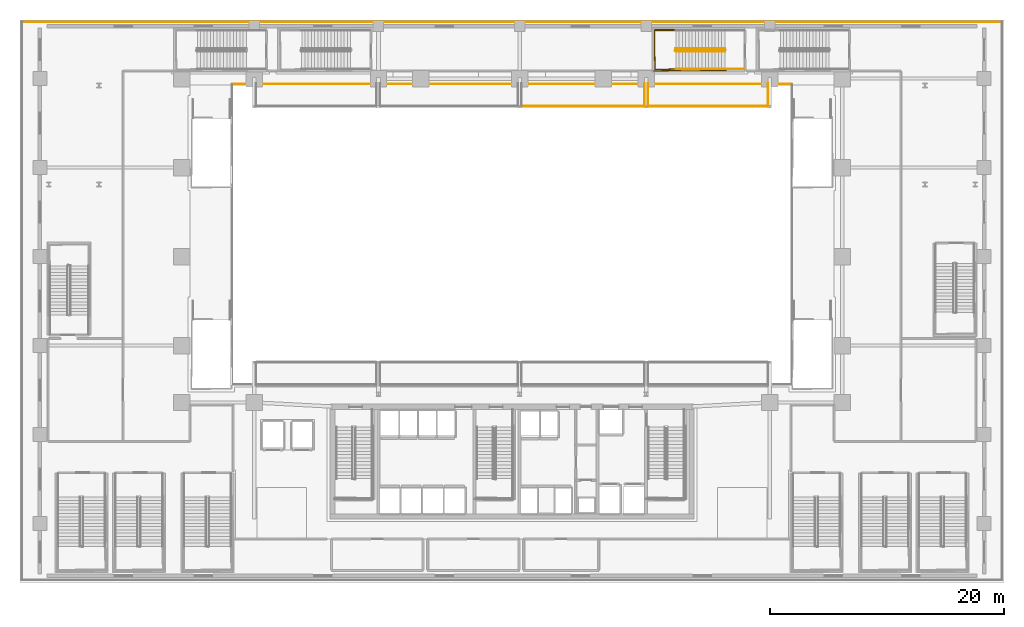
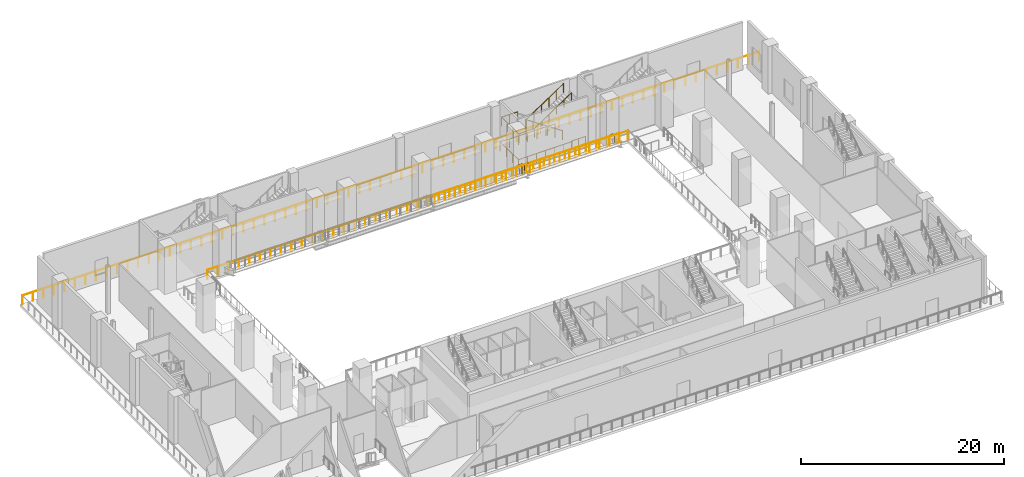
# One storey, part 22 of 28: 13 railings.
"""IFC4 building model written with IfcOpenShell, lengths in metres."""

import ifcopenshell
import ifcopenshell.guid

model = None  # the IFC model being written
_history = None  # IfcOwnerHistory: only IFC2X3 demands one
_inside = {}  # id of a spatial element -> (the spatial element, [elements in it])
_under = {}  # id of a project, library or spatial element -> (it, [spatial elements below it])
_declared = {}  # id of a project -> (the project, [libraries it declares])
_typed = {}  # id of a type object -> (the type object, [elements of that type])
_made_of = {}  # id of a material, layer set ... -> (it, [elements and type objects made of it])


def new_model(schema):
    """Start an empty IFC model of exactly this schema.

    Asked for "IFC4X3", IfcOpenShell would pick the latest addendum, in which some entities
    have other attributes; the version numbers below select the first issue.
    IFC2X3 requires an IfcOwnerHistory on every rooted entity: one is made here for all.
    """
    global model, _history
    if schema == "IFC4X3":
        model = ifcopenshell.file(schema_version=(4, 3, 0, 0))
    else:
        model = ifcopenshell.file(schema=schema)
    _inside.clear()
    _under.clear()
    _declared.clear()
    _typed.clear()
    _made_of.clear()
    _history = None
    if model.schema == "IFC2X3":
        org = make("IfcOrganization", Name="unknown")
        user = make(
            "IfcPersonAndOrganization",
            ThePerson=make("IfcPerson", FamilyName="unknown"),
            TheOrganization=org,
        )
        app = make(
            "IfcApplication",
            ApplicationDeveloper=org,
            Version="unknown",
            ApplicationFullName="unknown",
            ApplicationIdentifier="unknown",
        )
        _history = make(
            "IfcOwnerHistory",
            OwningUser=user,
            OwningApplication=app,
            ChangeAction="ADDED",
            CreationDate=0,
        )
    return model


def make(cls, **values):
    """One entity of the class cls with the attributes given. An attribute that is None is left unset."""
    return model.create_entity(
        cls, **{name: value for name, value in values.items() if value is not None}
    )


def rooted(cls, **values):
    """An entity with a GlobalId (a new one), such as an element, a storey or a relation."""
    return make(cls, GlobalId=ifcopenshell.guid.new(), OwnerHistory=_history, **values)


def si_unit(unit_type, name, prefix=None):
    """IfcSIUnit, for example si_unit("LENGTHUNIT", "METRE", prefix="MILLI")."""
    return make("IfcSIUnit", UnitType=unit_type, Prefix=prefix, Name=name)


def assignment(units):
    """IfcUnitAssignment: the units of a project."""
    return None if units is None else make("IfcUnitAssignment", Units=units)


def point(xyz):
    """IfcCartesianPoint."""
    return None if xyz is None else make("IfcCartesianPoint", Coordinates=xyz)


def direction(xyz):
    """IfcDirection."""
    return None if xyz is None else make("IfcDirection", DirectionRatios=xyz)


def frame(location, z_axis=None, x_axis=None):
    """IfcAxis2Placement3D, a coordinate frame: its origin and axes. An axis left out is left unset."""
    return make(
        "IfcAxis2Placement3D",
        Location=point(location),
        Axis=direction(z_axis),
        RefDirection=direction(x_axis),
    )


def frame_2d(location, x_axis=None):
    """IfcAxis2Placement2D, a coordinate frame in the plane: its origin and x axis."""
    return make(
        "IfcAxis2Placement2D", Location=point(location), RefDirection=direction(x_axis)
    )


def origin():
    """The frame at (0, 0, 0) with its axes left unset."""
    return frame((0.0, 0.0, 0.0))


def origin_2d():
    """The frame at (0, 0) in the plane with its x axis left unset."""
    return frame_2d((0.0, 0.0))


def place(relative_to, where):
    """IfcLocalPlacement: puts the frame where relative to a parent placement (None: the world)."""
    return make(
        "IfcLocalPlacement", PlacementRelTo=relative_to, RelativePlacement=where
    )


def context(
    kind, dimensions, precision=None, world=None, true_north=None, identifier=None
):
    """IfcGeometricRepresentationContext, for example the 3D "Model" context."""
    return make(
        "IfcGeometricRepresentationContext",
        ContextIdentifier=identifier,
        ContextType=kind,
        CoordinateSpaceDimension=dimensions,
        Precision=precision,
        WorldCoordinateSystem=world,
        TrueNorth=true_north,
    )


def subcontext(parent, identifier, kind, view, scale=None):
    """IfcGeometricRepresentationSubContext, for example "Body" below "Model"."""
    return make(
        "IfcGeometricRepresentationSubContext",
        ContextIdentifier=identifier,
        ContextType=kind,
        ParentContext=parent,
        TargetScale=scale,
        TargetView=view,
    )


def project(units=None, contexts=None):
    """IfcProject with its units and contexts."""
    return rooted(
        "IfcProject",
        Name="project",
        RepresentationContexts=contexts,
        UnitsInContext=assignment(units),
    )


def spatial(cls, under=None, at=None, **own):
    """A site, building, storey or space (cls), placed at a placement, below another one or the project."""
    s = rooted(cls, ObjectPlacement=at, **own)
    if under is not None:
        _under.setdefault(under.id(), (under, []))[1].append(s)
    return s


def profile(cls, at=None, kind="AREA", **sizes):
    """A parametric profile (cls). Its sizes go by their IFC names, for example OverallWidth=200.0."""
    return make(cls, ProfileType=kind, Position=at, **sizes)


def circle(**sizes):
    """IfcCircleProfileDef."""
    return profile("IfcCircleProfileDef", **sizes)


def extrude(swept, where, along, depth):
    """IfcExtrudedAreaSolid: the profile swept, set in the frame where, extruded along a direction by depth."""
    return make(
        "IfcExtrudedAreaSolid",
        SweptArea=swept,
        Position=where,
        ExtrudedDirection=direction(along),
        Depth=depth,
    )


def shape(context_of_items, identifier, shape_type, items):
    """IfcShapeRepresentation: the items that make up one representation, for example the "Body"."""
    return make(
        "IfcShapeRepresentation",
        ContextOfItems=context_of_items,
        RepresentationIdentifier=identifier,
        RepresentationType=shape_type,
        Items=items,
    )


def material(Name=None, Category=None):
    """IfcMaterial."""
    return make("IfcMaterial", Name=Name, Category=Category)


def layer(
    of_material, thickness, ventilated=None, Name=None, Category=None, Priority=None
):
    """IfcMaterialLayer: one layer of a wall or slab, of a material (None: an air gap)."""
    return make(
        "IfcMaterialLayer",
        Material=of_material,
        LayerThickness=thickness,
        IsVentilated=ventilated,
        Name=Name,
        Category=Category,
        Priority=Priority,
    )


def layer_set(layers, Name=None):
    """IfcMaterialLayerSet."""
    return make("IfcMaterialLayerSet", MaterialLayers=layers, LayerSetName=Name)


def made_of(thing, what):
    """Note that an element or type object is made of a material, layer set ...; save() writes the relation."""
    if what is not None:
        _made_of.setdefault(what.id(), (what, []))[1].append(thing)
    return thing


def type_object(cls, material=None, **own):
    """A type object (cls), such as IfcWallType, which elements share."""
    return made_of(rooted(cls, **own), material)


def element(
    cls,
    number,
    at=None,
    inside=None,
    cuts=None,
    type_object=None,
    material=None,
    context=None,
    identifier="Body",
    shape_type=None,
    held_by="IfcProductDefinitionShape",
    body=None,
    shapes=None,
    **own,
):
    """One element of the class cls, such as IfcWall. Its Tag is "e" and its number.

    at: its placement. inside: the storey or other place that contains it. cuts: it is an
    opening in that element (IfcRelVoidsElement). A single representation is given by context,
    identifier, shape_type and body (its items); several are given by shapes. held_by: the class
    of the entity that holds the representations. save() writes the other relations.
    """
    e = rooted(cls, Tag="e%d" % number, ObjectPlacement=at, **own)
    if body is not None:
        shapes = [shape(context, identifier, shape_type, body)]
    if shapes is not None:
        e.Representation = make(held_by, Representations=shapes)
    if inside is not None:
        _inside.setdefault(inside.id(), (inside, []))[1].append(e)
    if cuts is not None:
        rooted(
            "IfcRelVoidsElement", RelatingBuildingElement=cuts, RelatedOpeningElement=e
        )
    if type_object is not None:
        _typed.setdefault(type_object.id(), (type_object, []))[1].append(e)
    return made_of(e, material)


def aggregate(whole, parts):
    """IfcRelAggregates: a whole, such as a stair, and the parts it consists of."""
    return rooted("IfcRelAggregates", RelatingObject=whole, RelatedObjects=parts)


def save(model, path):
    """Write the relations noted so far, then the file.

    IfcRelAggregates (storeys below a building ...), IfcRelContainedInSpatialStructure (elements
    in a storey), IfcRelDefinesByType, IfcRelAssociatesMaterial and IfcRelDeclares: one each for
    every whole, place, type object, material and project.
    """
    for whole, parts in _under.values():
        aggregate(whole, parts)
    for where, things in _inside.values():
        rooted(
            "IfcRelContainedInSpatialStructure",
            RelatedElements=things,
            RelatingStructure=where,
        )
    for kind, things in _typed.values():
        rooted("IfcRelDefinesByType", RelatedObjects=things, RelatingType=kind)
    for what, things in _made_of.values():
        rooted("IfcRelAssociatesMaterial", RelatedObjects=things, RelatingMaterial=what)
    for by, libraries in _declared.values():
        rooted("IfcRelDeclares", RelatingContext=by, RelatedDefinitions=libraries)
    model.write(path)


model = new_model("IFC4")

# Units and contexts
model_context = context("Model", 3, precision=1e-05, world=origin(), true_north=direction((0.0, 1.0)))
body_context = subcontext(model_context, "Body", "Model", "MODEL_VIEW")
ifc_project = project(units=[si_unit("LENGTHUNIT", "METRE"), si_unit("AREAUNIT", "SQUARE_METRE"), si_unit("VOLUMEUNIT", "CUBIC_METRE"), si_unit("PLANEANGLEUNIT", "RADIAN"), si_unit("MASSUNIT", "GRAM", prefix="KILO")], contexts=[model_context])

# Site, building, storey
site_placement = place(None, origin())
site = spatial("IfcSite", under=ifc_project, at=site_placement, CompositionType="ELEMENT")
building_placement = place(site_placement, origin())
building = spatial("IfcBuilding", under=site, at=building_placement, Name="Ndaravel Arena Tower", CompositionType="ELEMENT")
storey_placement = place(building_placement, frame((0.0, 0.0, 18.0)))
storey = spatial("IfcBuildingStorey", under=building, at=storey_placement, Name="L03", CompositionType="ELEMENT", Elevation=18.0)

# Railings
ifc_material_1 = material(Name="Steel S355", Category="steel")
ifc_layer_1 = layer(ifc_material_1, 0.06005859375)
ifc_layer_set_1 = layer_set([ifc_layer_1], Name="Steel S355")
railing_type_1 = type_object("IfcRailingType", Name="RAIL-STAIR-GD1100", PredefinedType="GUARDRAIL", material=ifc_layer_set_1)
railing_1_placement = place(storey_placement, frame((60.179931640625, 45.570068359375, 0.1875)))
element("IfcRailing", 1, at=railing_1_placement, inside=storey, type_object=railing_type_1, Name="L03 ST-A10 stair guard 1", PredefinedType="GUARDRAIL", context=body_context, shape_type="SweptSolid", body=[
    extrude(circle(Radius=0.02392578125, at=origin_2d()), frame((0.0, 0.0, 1.076171875), z_axis=(-0.830904186295, 0.0, 0.556415522067), x_axis=(0.0, -1.0, 0.0)), (0.0, 0.0, 1.0), 5.0546875),
    extrude(circle(Radius=0.02392578125, at=origin_2d()), frame((-4.199951171875, 0.0, 3.888671875), z_axis=(-0.25449329928, -0.967074537263, 0.0), x_axis=(0.967074537263, -0.25449329928, 0.0)), (0.0, 0.0, 1.0), 0.19677734375),
    extrude(circle(Radius=0.02099609375, at=origin_2d()), origin(), (0.0, 0.0, 1.0), 1.052001953125),
    extrude(circle(Radius=0.02099609375, at=origin_2d()), frame((-0.840087890625, 0.0, 0.5625)), (0.0, 0.0, 1.0), 1.052001953125),
    extrude(circle(Radius=0.02099609375, at=origin_2d()), frame((-1.679931640625, 0.0, 1.125)), (0.0, 0.0, 1.0), 1.052001953125),
    extrude(circle(Radius=0.02099609375, at=origin_2d()), frame((-2.52001953125, 0.0, 1.6875)), (0.0, 0.0, 1.0), 1.052001953125),
    extrude(circle(Radius=0.02099609375, at=origin_2d()), frame((-3.35986328125, 0.0, 2.25)), (0.0, 0.0, 1.0), 1.052001953125),
    extrude(circle(Radius=0.02099609375, at=origin_2d()), frame((-4.199951171875, 0.0, 2.8125)), (0.0, 0.0, 1.0), 1.052001953125),
    extrude(circle(Radius=0.02099609375, at=origin_2d()), frame((-4.25, -0.190185546875, 2.8125)), (0.0, 0.0, 1.0), 1.052001953125),
])
railing_2_placement = place(storey_placement, frame((55.97998046875, 47.090087890625, 3.0)))
element("IfcRailing", 2, at=railing_2_placement, inside=storey, type_object=railing_type_1, Name="L03 ST-A10 stair guard 2", PredefinedType="GUARDRAIL", context=body_context, shape_type="SweptSolid", body=[
    extrude(circle(Radius=0.02392578125, at=origin_2d()), frame((0.0, 0.0, 1.076171875), z_axis=(-1.0, 0.0, 0.0), x_axis=(0.0, -1.0, 0.0)), (0.0, 0.0, 1.0), 1.830078125),
    extrude(circle(Radius=0.02392578125, at=origin_2d()), frame((-1.830078125, 0.0, 1.076171875), z_axis=(0.015027628384, -0.999887078817, 0.0), x_axis=(0.999887078817, 0.015027628384, 0.0)), (0.0, 0.0, 1.0), 3.33056640625),
    extrude(circle(Radius=0.02392578125, at=origin_2d()), frame((-1.780029296875, -3.330078125, 1.076171875), z_axis=(0.999604955407, 0.028105748986, 0.0), x_axis=(-0.028105748986, 0.999604955407, 0.0)), (0.0, 0.0, 1.0), 1.78076171875),
    extrude(circle(Radius=0.02099609375, at=origin_2d()), origin(), (0.0, 0.0, 1.0), 1.052001953125),
    extrude(circle(Radius=0.02099609375, at=origin_2d()), frame((-0.9150390625, 0.0, 0.0)), (0.0, 0.0, 1.0), 1.052001953125),
    extrude(circle(Radius=0.02099609375, at=origin_2d()), frame((-1.830078125, 0.0, 0.0)), (0.0, 0.0, 1.0), 1.052001953125),
    extrude(circle(Radius=0.02099609375, at=origin_2d()), frame((-1.8134765625, -1.110107421875, 0.0)), (0.0, 0.0, 1.0), 1.052001953125),
    extrude(circle(Radius=0.02099609375, at=origin_2d()), frame((-1.796630859375, -2.219970703125, 0.0)), (0.0, 0.0, 1.0), 1.052001953125),
    extrude(circle(Radius=0.02099609375, at=origin_2d()), frame((-1.780029296875, -3.330078125, 0.0)), (0.0, 0.0, 1.0), 1.052001953125),
    extrude(circle(Radius=0.02099609375, at=origin_2d()), frame((-0.89013671875, -3.30517578125, 0.0)), (0.0, 0.0, 1.0), 1.052001953125),
    extrude(circle(Radius=0.02099609375, at=origin_2d()), frame((0.0, -3.280029296875, 0.0)), (0.0, 0.0, 1.0), 1.052001953125),
])
railing_3_placement = place(storey_placement, frame((55.97998046875, 45.330078125, 3.1875)))
element("IfcRailing", 3, at=railing_3_placement, inside=storey, type_object=railing_type_1, Name="L03 ST-A10 stair guard 3", PredefinedType="GUARDRAIL", context=body_context, shape_type="SweptSolid", body=[
    extrude(circle(Radius=0.02392578125, at=origin_2d()), frame((0.0, 0.0, 1.076171875), z_axis=(0.830904186295, 0.0, 0.556415522067), x_axis=(0.0, 1.0, 0.0)), (0.0, 0.0, 1.0), 5.0546875),
    extrude(circle(Radius=0.02099609375, at=origin_2d()), origin(), (0.0, 0.0, 1.0), 1.052001953125),
    extrude(circle(Radius=0.02099609375, at=origin_2d()), frame((0.840087890625, 0.0, 0.5625)), (0.0, 0.0, 1.0), 1.052001953125),
    extrude(circle(Radius=0.02099609375, at=origin_2d()), frame((1.679931640625, 0.0, 1.125)), (0.0, 0.0, 1.0), 1.052001953125),
    extrude(circle(Radius=0.02099609375, at=origin_2d()), frame((2.52001953125, 0.0, 1.6875)), (0.0, 0.0, 1.0), 1.052001953125),
    extrude(circle(Radius=0.02099609375, at=origin_2d()), frame((3.35986328125, 0.0, 2.25)), (0.0, 0.0, 1.0), 1.052001953125),
    extrude(circle(Radius=0.02099609375, at=origin_2d()), frame((4.199951171875, 0.0, 2.8125)), (0.0, 0.0, 1.0), 1.052001953125),
])
railing_4_placement = place(storey_placement, frame((61.800048828125, 43.81005859375, 0.0)))
element("IfcRailing", 4, at=railing_4_placement, inside=storey, type_object=railing_type_1, Name="L03 ST-A10 stair guard 6", PredefinedType="GUARDRAIL", context=body_context, shape_type="SweptSolid", body=[
    extrude(circle(Radius=0.02392578125, at=origin_2d()), frame((0.0, 0.0, 1.076171875), z_axis=(-1.0, 0.0, 0.0), x_axis=(0.0, -1.0, 0.0)), (0.0, 0.0, 1.0), 1.6201171875),
    extrude(circle(Radius=0.02099609375, at=origin_2d()), origin(), (0.0, 0.0, 1.0), 1.052001953125),
    extrude(circle(Radius=0.02099609375, at=origin_2d()), frame((-0.81005859375, 0.0, 0.0)), (0.0, 0.0, 1.0), 1.052001953125),
    extrude(circle(Radius=0.02099609375, at=origin_2d()), frame((-1.6201171875, 0.0, 0.0)), (0.0, 0.0, 1.0), 1.052001953125),
])
railing_5_placement = place(storey_placement, frame((60.280029296875, 47.18994140625, 0.0)))
element("IfcRailing", 5, at=railing_5_placement, inside=storey, type_object=railing_type_1, Name="L03 ST-A10 stair guard 7", PredefinedType="GUARDRAIL", context=body_context, shape_type="SweptSolid", body=[
    extrude(circle(Radius=0.02392578125, at=origin_2d()), frame((0.0, 0.0, 1.076171875), z_axis=(-1.0, 0.0, 0.0), x_axis=(0.0, -1.0, 0.0)), (0.0, 0.0, 1.0), 6.22998046875),
    extrude(circle(Radius=0.02392578125, at=origin_2d()), frame((-6.22998046875, 0.0, 1.076171875), z_axis=(0.014176595818, -0.999899507016, 0.0), x_axis=(0.999899507016, 0.014176595818, 0.0)), (0.0, 0.0, 1.0), 3.5302734375),
    extrude(circle(Radius=0.02392578125, at=origin_2d()), frame((-6.179931640625, -3.530029296875, 1.076171875), z_axis=(0.999967207908, 0.008098339889, 0.0), x_axis=(-0.008098339889, 0.999967207908, 0.0)), (0.0, 0.0, 1.0), 6.18017578125),
    extrude(circle(Radius=0.02099609375, at=origin_2d()), origin(), (0.0, 0.0, 1.0), 1.052001953125),
    extrude(circle(Radius=0.02099609375, at=origin_2d()), frame((-1.038330078125, 0.0, 0.0)), (0.0, 0.0, 1.0), 1.052001953125),
    extrude(circle(Radius=0.02099609375, at=origin_2d()), frame((-2.07666015625, 0.0, 0.0)), (0.0, 0.0, 1.0), 1.052001953125),
    extrude(circle(Radius=0.02099609375, at=origin_2d()), frame((-3.114990234375, 0.0, 0.0)), (0.0, 0.0, 1.0), 1.052001953125),
    extrude(circle(Radius=0.02099609375, at=origin_2d()), frame((-4.1533203125, 0.0, 0.0)), (0.0, 0.0, 1.0), 1.052001953125),
    extrude(circle(Radius=0.02099609375, at=origin_2d()), frame((-5.191650390625, 0.0, 0.0)), (0.0, 0.0, 1.0), 1.052001953125),
    extrude(circle(Radius=0.02099609375, at=origin_2d()), frame((-6.22998046875, 0.0, 0.0)), (0.0, 0.0, 1.0), 1.052001953125),
    extrude(circle(Radius=0.02099609375, at=origin_2d()), frame((-6.21337890625, -1.1767578125, 0.0)), (0.0, 0.0, 1.0), 1.052001953125),
    extrude(circle(Radius=0.02099609375, at=origin_2d()), frame((-6.196533203125, -2.353271484375, 0.0)), (0.0, 0.0, 1.0), 1.052001953125),
    extrude(circle(Radius=0.02099609375, at=origin_2d()), frame((-6.179931640625, -3.530029296875, 0.0)), (0.0, 0.0, 1.0), 1.052001953125),
    extrude(circle(Radius=0.02099609375, at=origin_2d()), frame((-5.14990234375, -3.521728515625, 0.0)), (0.0, 0.0, 1.0), 1.052001953125),
    extrude(circle(Radius=0.02099609375, at=origin_2d()), frame((-4.119873046875, -3.513427734375, 0.0)), (0.0, 0.0, 1.0), 1.052001953125),
    extrude(circle(Radius=0.02099609375, at=origin_2d()), frame((-3.08984375, -3.5048828125, 0.0)), (0.0, 0.0, 1.0), 1.052001953125),
    extrude(circle(Radius=0.02099609375, at=origin_2d()), frame((-2.06005859375, -3.49658203125, 0.0)), (0.0, 0.0, 1.0), 1.052001953125),
    extrude(circle(Radius=0.02099609375, at=origin_2d()), frame((-1.030029296875, -3.48828125, 0.0)), (0.0, 0.0, 1.0), 1.052001953125),
    extrude(circle(Radius=0.02099609375, at=origin_2d()), frame((0.0, -3.47998046875, 0.0)), (0.0, 0.0, 1.0), 1.052001953125),
])
ifc_material_2 = material(Name="Steel S355", Category="steel")
ifc_layer_2 = layer(ifc_material_2, 0.050048828125)
ifc_layer_set_2 = layer_set([ifc_layer_2], Name="Steel S355")
railing_type_2 = type_object("IfcRailingType", Name="RAIL-STAIR-HR920", PredefinedType="HANDRAIL", material=ifc_layer_set_2)
railing_6_placement = place(storey_placement, frame((55.97998046875, 43.81005859375, 3.1875)))
element("IfcRailing", 6, at=railing_6_placement, inside=storey, type_object=railing_type_2, Name="L03 ST-A10 stair handrail 2", PredefinedType="HANDRAIL", context=body_context, shape_type="SweptSolid", body=[
    extrude(circle(Radius=0.02392578125, at=origin_2d()), frame((0.0, 0.0, 0.8759765625), z_axis=(0.830904186295, 0.0, 0.556415522067), x_axis=(0.0, 1.0, 0.0)), (0.0, 0.0, 1.0), 5.0546875),
    extrude(circle(Radius=0.02099609375, at=origin_2d()), origin(), (0.0, 0.0, 1.0), 0.851806640625),
    extrude(circle(Radius=0.02099609375, at=origin_2d()), frame((0.840087890625, 0.0, 0.5625)), (0.0, 0.0, 1.0), 0.851806640625),
    extrude(circle(Radius=0.02099609375, at=origin_2d()), frame((1.679931640625, 0.0, 1.125)), (0.0, 0.0, 1.0), 0.851806640625),
    extrude(circle(Radius=0.02099609375, at=origin_2d()), frame((2.52001953125, 0.0, 1.6875)), (0.0, 0.0, 1.0), 0.851806640625),
    extrude(circle(Radius=0.02099609375, at=origin_2d()), frame((3.35986328125, 0.0, 2.25)), (0.0, 0.0, 1.0), 0.851806640625),
    extrude(circle(Radius=0.02099609375, at=origin_2d()), frame((4.199951171875, 0.0, 2.8125)), (0.0, 0.0, 1.0), 0.851806640625),
])
ifc_material_3 = material(Name="Glazing", Category="glass")
ifc_layer_3 = layer(ifc_material_3, 0.070068359375)
ifc_layer_set_3 = layer_set([ifc_layer_3], Name="Glazing")
railing_type_3 = type_object("IfcRailingType", Name="RAIL-TERRACE-1150", PredefinedType="BALUSTRADE", material=ifc_layer_set_3)
railing_7_placement = place(storey_placement, frame((83.820068359375, 47.820068359375, 0.0)))
element("IfcRailing", 7, at=railing_7_placement, inside=storey, type_object=railing_type_3, Name="L03 Podium Perimeter Edge Guard 3", PredefinedType="BALUSTRADE", context=body_context, shape_type="SweptSolid", body=[
    extrude(circle(Radius=0.02392578125, at=origin_2d()), frame((0.0, 0.0, 1.1259765625), z_axis=(-1.0, 0.0, 0.0), x_axis=(0.0, -1.0, 0.0)), (0.0, 0.0, 1.0), 83.64013671875),
    extrude(circle(Radius=0.02099609375, at=origin_2d()), origin(), (0.0, 0.0, 1.0), 1.101806640625),
    extrude(circle(Radius=0.02099609375, at=origin_2d()), frame((-1.19482421875, 0.0, 0.0)), (0.0, 0.0, 1.0), 1.101806640625),
    extrude(circle(Radius=0.02099609375, at=origin_2d()), frame((-2.3896484375, 0.0, 0.0)), (0.0, 0.0, 1.0), 1.101806640625),
    extrude(circle(Radius=0.02099609375, at=origin_2d()), frame((-3.58447265625, 0.0, 0.0)), (0.0, 0.0, 1.0), 1.101806640625),
    extrude(circle(Radius=0.02099609375, at=origin_2d()), frame((-4.779541015625, 0.0, 0.0)), (0.0, 0.0, 1.0), 1.101806640625),
    extrude(circle(Radius=0.02099609375, at=origin_2d()), frame((-5.974365234375, 0.0, 0.0)), (0.0, 0.0, 1.0), 1.101806640625),
    extrude(circle(Radius=0.02099609375, at=origin_2d()), frame((-7.169189453125, 0.0, 0.0)), (0.0, 0.0, 1.0), 1.101806640625),
    extrude(circle(Radius=0.02099609375, at=origin_2d()), frame((-8.364013671875, 0.0, 0.0)), (0.0, 0.0, 1.0), 1.101806640625),
    extrude(circle(Radius=0.02099609375, at=origin_2d()), frame((-9.558837890625, 0.0, 0.0)), (0.0, 0.0, 1.0), 1.101806640625),
    extrude(circle(Radius=0.02099609375, at=origin_2d()), frame((-10.753662109375, 0.0, 0.0)), (0.0, 0.0, 1.0), 1.101806640625),
    extrude(circle(Radius=0.02099609375, at=origin_2d()), frame((-11.948486328125, 0.0, 0.0)), (0.0, 0.0, 1.0), 1.101806640625),
    extrude(circle(Radius=0.02099609375, at=origin_2d()), frame((-13.1435546875, 0.0, 0.0)), (0.0, 0.0, 1.0), 1.101806640625),
    extrude(circle(Radius=0.02099609375, at=origin_2d()), frame((-14.33837890625, 0.0, 0.0)), (0.0, 0.0, 1.0), 1.101806640625),
    extrude(circle(Radius=0.02099609375, at=origin_2d()), frame((-15.533203125, 0.0, 0.0)), (0.0, 0.0, 1.0), 1.101806640625),
    extrude(circle(Radius=0.02099609375, at=origin_2d()), frame((-16.72802734375, 0.0, 0.0)), (0.0, 0.0, 1.0), 1.101806640625),
    extrude(circle(Radius=0.02099609375, at=origin_2d()), frame((-17.9228515625, 0.0, 0.0)), (0.0, 0.0, 1.0), 1.101806640625),
    extrude(circle(Radius=0.02099609375, at=origin_2d()), frame((-19.11767578125, 0.0, 0.0)), (0.0, 0.0, 1.0), 1.101806640625),
    extrude(circle(Radius=0.02099609375, at=origin_2d()), frame((-20.3125, 0.0, 0.0)), (0.0, 0.0, 1.0), 1.101806640625),
    extrude(circle(Radius=0.02099609375, at=origin_2d()), frame((-21.507568359375, 0.0, 0.0)), (0.0, 0.0, 1.0), 1.101806640625),
    extrude(circle(Radius=0.02099609375, at=origin_2d()), frame((-22.702392578125, 0.0, 0.0)), (0.0, 0.0, 1.0), 1.101806640625),
    extrude(circle(Radius=0.02099609375, at=origin_2d()), frame((-23.897216796875, 0.0, 0.0)), (0.0, 0.0, 1.0), 1.101806640625),
    extrude(circle(Radius=0.02099609375, at=origin_2d()), frame((-25.092041015625, 0.0, 0.0)), (0.0, 0.0, 1.0), 1.101806640625),
    extrude(circle(Radius=0.02099609375, at=origin_2d()), frame((-26.286865234375, 0.0, 0.0)), (0.0, 0.0, 1.0), 1.101806640625),
    extrude(circle(Radius=0.02099609375, at=origin_2d()), frame((-27.481689453125, 0.0, 0.0)), (0.0, 0.0, 1.0), 1.101806640625),
    extrude(circle(Radius=0.02099609375, at=origin_2d()), frame((-28.676513671875, 0.0, 0.0)), (0.0, 0.0, 1.0), 1.101806640625),
    extrude(circle(Radius=0.02099609375, at=origin_2d()), frame((-29.87158203125, 0.0, 0.0)), (0.0, 0.0, 1.0), 1.101806640625),
    extrude(circle(Radius=0.02099609375, at=origin_2d()), frame((-31.06640625, 0.0, 0.0)), (0.0, 0.0, 1.0), 1.101806640625),
    extrude(circle(Radius=0.02099609375, at=origin_2d()), frame((-32.26123046875, 0.0, 0.0)), (0.0, 0.0, 1.0), 1.101806640625),
    extrude(circle(Radius=0.02099609375, at=origin_2d()), frame((-33.4560546875, 0.0, 0.0)), (0.0, 0.0, 1.0), 1.101806640625),
    extrude(circle(Radius=0.02099609375, at=origin_2d()), frame((-34.65087890625, 0.0, 0.0)), (0.0, 0.0, 1.0), 1.101806640625),
    extrude(circle(Radius=0.02099609375, at=origin_2d()), frame((-35.845703125, 0.0, 0.0)), (0.0, 0.0, 1.0), 1.101806640625),
    extrude(circle(Radius=0.02099609375, at=origin_2d()), frame((-37.04052734375, 0.0, 0.0)), (0.0, 0.0, 1.0), 1.101806640625),
    extrude(circle(Radius=0.02099609375, at=origin_2d()), frame((-38.235595703125, 0.0, 0.0)), (0.0, 0.0, 1.0), 1.101806640625),
    extrude(circle(Radius=0.02099609375, at=origin_2d()), frame((-39.430419921875, 0.0, 0.0)), (0.0, 0.0, 1.0), 1.101806640625),
    extrude(circle(Radius=0.02099609375, at=origin_2d()), frame((-40.625244140625, 0.0, 0.0)), (0.0, 0.0, 1.0), 1.101806640625),
    extrude(circle(Radius=0.02099609375, at=origin_2d()), frame((-41.820068359375, 0.0, 0.0)), (0.0, 0.0, 1.0), 1.101806640625),
    extrude(circle(Radius=0.02099609375, at=origin_2d()), frame((-43.014892578125, 0.0, 0.0)), (0.0, 0.0, 1.0), 1.101806640625),
    extrude(circle(Radius=0.02099609375, at=origin_2d()), frame((-44.209716796875, 0.0, 0.0)), (0.0, 0.0, 1.0), 1.101806640625),
    extrude(circle(Radius=0.02099609375, at=origin_2d()), frame((-45.404541015625, 0.0, 0.0)), (0.0, 0.0, 1.0), 1.101806640625),
    extrude(circle(Radius=0.02099609375, at=origin_2d()), frame((-46.599609375, 0.0, 0.0)), (0.0, 0.0, 1.0), 1.101806640625),
    extrude(circle(Radius=0.02099609375, at=origin_2d()), frame((-47.79443359375, 0.0, 0.0)), (0.0, 0.0, 1.0), 1.101806640625),
    extrude(circle(Radius=0.02099609375, at=origin_2d()), frame((-48.9892578125, 0.0, 0.0)), (0.0, 0.0, 1.0), 1.101806640625),
    extrude(circle(Radius=0.02099609375, at=origin_2d()), frame((-50.18408203125, 0.0, 0.0)), (0.0, 0.0, 1.0), 1.101806640625),
    extrude(circle(Radius=0.02099609375, at=origin_2d()), frame((-51.37890625, 0.0, 0.0)), (0.0, 0.0, 1.0), 1.101806640625),
    extrude(circle(Radius=0.02099609375, at=origin_2d()), frame((-52.57373046875, 0.0, 0.0)), (0.0, 0.0, 1.0), 1.101806640625),
    extrude(circle(Radius=0.02099609375, at=origin_2d()), frame((-53.7685546875, 0.0, 0.0)), (0.0, 0.0, 1.0), 1.101806640625),
    extrude(circle(Radius=0.02099609375, at=origin_2d()), frame((-54.963623046875, 0.0, 0.0)), (0.0, 0.0, 1.0), 1.101806640625),
    extrude(circle(Radius=0.02099609375, at=origin_2d()), frame((-56.158447265625, 0.0, 0.0)), (0.0, 0.0, 1.0), 1.101806640625),
    extrude(circle(Radius=0.02099609375, at=origin_2d()), frame((-57.353271484375, 0.0, 0.0)), (0.0, 0.0, 1.0), 1.101806640625),
    extrude(circle(Radius=0.02099609375, at=origin_2d()), frame((-58.548095703125, 0.0, 0.0)), (0.0, 0.0, 1.0), 1.101806640625),
    extrude(circle(Radius=0.02099609375, at=origin_2d()), frame((-59.742919921875, 0.0, 0.0)), (0.0, 0.0, 1.0), 1.101806640625),
    extrude(circle(Radius=0.02099609375, at=origin_2d()), frame((-60.937744140625, 0.0, 0.0)), (0.0, 0.0, 1.0), 1.101806640625),
    extrude(circle(Radius=0.02099609375, at=origin_2d()), frame((-62.132568359375, 0.0, 0.0)), (0.0, 0.0, 1.0), 1.101806640625),
    extrude(circle(Radius=0.02099609375, at=origin_2d()), frame((-63.32763671875, 0.0, 0.0)), (0.0, 0.0, 1.0), 1.101806640625),
    extrude(circle(Radius=0.02099609375, at=origin_2d()), frame((-64.5224609375, 0.0, 0.0)), (0.0, 0.0, 1.0), 1.101806640625),
    extrude(circle(Radius=0.02099609375, at=origin_2d()), frame((-65.71728515625, 0.0, 0.0)), (0.0, 0.0, 1.0), 1.101806640625),
    extrude(circle(Radius=0.02099609375, at=origin_2d()), frame((-66.912109375, 0.0, 0.0)), (0.0, 0.0, 1.0), 1.101806640625),
    extrude(circle(Radius=0.02099609375, at=origin_2d()), frame((-68.10693359375, 0.0, 0.0)), (0.0, 0.0, 1.0), 1.101806640625),
    extrude(circle(Radius=0.02099609375, at=origin_2d()), frame((-69.3017578125, 0.0, 0.0)), (0.0, 0.0, 1.0), 1.101806640625),
    extrude(circle(Radius=0.02099609375, at=origin_2d()), frame((-70.49658203125, 0.0, 0.0)), (0.0, 0.0, 1.0), 1.101806640625),
    extrude(circle(Radius=0.02099609375, at=origin_2d()), frame((-71.691650390625, 0.0, 0.0)), (0.0, 0.0, 1.0), 1.101806640625),
    extrude(circle(Radius=0.02099609375, at=origin_2d()), frame((-72.886474609375, 0.0, 0.0)), (0.0, 0.0, 1.0), 1.101806640625),
    extrude(circle(Radius=0.02099609375, at=origin_2d()), frame((-74.081298828125, 0.0, 0.0)), (0.0, 0.0, 1.0), 1.101806640625),
    extrude(circle(Radius=0.02099609375, at=origin_2d()), frame((-75.276123046875, 0.0, 0.0)), (0.0, 0.0, 1.0), 1.101806640625),
    extrude(circle(Radius=0.02099609375, at=origin_2d()), frame((-76.470947265625, 0.0, 0.0)), (0.0, 0.0, 1.0), 1.101806640625),
    extrude(circle(Radius=0.02099609375, at=origin_2d()), frame((-77.665771484375, 0.0, 0.0)), (0.0, 0.0, 1.0), 1.101806640625),
    extrude(circle(Radius=0.02099609375, at=origin_2d()), frame((-78.860595703125, 0.0, 0.0)), (0.0, 0.0, 1.0), 1.101806640625),
    extrude(circle(Radius=0.02099609375, at=origin_2d()), frame((-80.0556640625, 0.0, 0.0)), (0.0, 0.0, 1.0), 1.101806640625),
    extrude(circle(Radius=0.02099609375, at=origin_2d()), frame((-81.25048828125, 0.0, 0.0)), (0.0, 0.0, 1.0), 1.101806640625),
    extrude(circle(Radius=0.02099609375, at=origin_2d()), frame((-82.4453125, 0.0, 0.0)), (0.0, 0.0, 1.0), 1.101806640625),
    extrude(circle(Radius=0.02099609375, at=origin_2d()), frame((-83.64013671875, 0.0, 0.0)), (0.0, 0.0, 1.0), 1.101806640625),
])
railing_8_placement = place(storey_placement, frame((65.8798828125, 42.52001953125, 0.0)))
element("IfcRailing", 8, at=railing_8_placement, inside=storey, type_object=railing_type_3, Name="L03 Arena Bowl Concourse N Balustrade", PredefinedType="BALUSTRADE", context=body_context, shape_type="SweptSolid", body=[
    extrude(circle(Radius=0.02392578125, at=origin_2d()), frame((0.0, 0.0, 1.1259765625), z_axis=(-1.0, 0.0, 0.0), x_axis=(0.0, -1.0, 0.0)), (0.0, 0.0, 1.0), 47.759765625),
    extrude(circle(Radius=0.02099609375, at=origin_2d()), origin(), (0.0, 0.0, 1.0), 1.101806640625),
    extrude(circle(Radius=0.02099609375, at=origin_2d()), frame((-1.194091796875, 0.0, 0.0)), (0.0, 0.0, 1.0), 1.101806640625),
    extrude(circle(Radius=0.02099609375, at=origin_2d()), frame((-2.387939453125, 0.0, 0.0)), (0.0, 0.0, 1.0), 1.101806640625),
    extrude(circle(Radius=0.02099609375, at=origin_2d()), frame((-3.58203125, 0.0, 0.0)), (0.0, 0.0, 1.0), 1.101806640625),
    extrude(circle(Radius=0.02099609375, at=origin_2d()), frame((-4.77587890625, 0.0, 0.0)), (0.0, 0.0, 1.0), 1.101806640625),
    extrude(circle(Radius=0.02099609375, at=origin_2d()), frame((-5.969970703125, 0.0, 0.0)), (0.0, 0.0, 1.0), 1.101806640625),
    extrude(circle(Radius=0.02099609375, at=origin_2d()), frame((-7.1640625, 0.0, 0.0)), (0.0, 0.0, 1.0), 1.101806640625),
    extrude(circle(Radius=0.02099609375, at=origin_2d()), frame((-8.35791015625, 0.0, 0.0)), (0.0, 0.0, 1.0), 1.101806640625),
    extrude(circle(Radius=0.02099609375, at=origin_2d()), frame((-9.552001953125, 0.0, 0.0)), (0.0, 0.0, 1.0), 1.101806640625),
    extrude(circle(Radius=0.02099609375, at=origin_2d()), frame((-10.745849609375, 0.0, 0.0)), (0.0, 0.0, 1.0), 1.101806640625),
    extrude(circle(Radius=0.02099609375, at=origin_2d()), frame((-11.93994140625, 0.0, 0.0)), (0.0, 0.0, 1.0), 1.101806640625),
    extrude(circle(Radius=0.02099609375, at=origin_2d()), frame((-13.134033203125, 0.0, 0.0)), (0.0, 0.0, 1.0), 1.101806640625),
    extrude(circle(Radius=0.02099609375, at=origin_2d()), frame((-14.327880859375, 0.0, 0.0)), (0.0, 0.0, 1.0), 1.101806640625),
    extrude(circle(Radius=0.02099609375, at=origin_2d()), frame((-15.52197265625, 0.0, 0.0)), (0.0, 0.0, 1.0), 1.101806640625),
    extrude(circle(Radius=0.02099609375, at=origin_2d()), frame((-16.7158203125, 0.0, 0.0)), (0.0, 0.0, 1.0), 1.101806640625),
    extrude(circle(Radius=0.02099609375, at=origin_2d()), frame((-17.909912109375, 0.0, 0.0)), (0.0, 0.0, 1.0), 1.101806640625),
    extrude(circle(Radius=0.02099609375, at=origin_2d()), frame((-19.10400390625, 0.0, 0.0)), (0.0, 0.0, 1.0), 1.101806640625),
    extrude(circle(Radius=0.02099609375, at=origin_2d()), frame((-20.2978515625, 0.0, 0.0)), (0.0, 0.0, 1.0), 1.101806640625),
    extrude(circle(Radius=0.02099609375, at=origin_2d()), frame((-21.491943359375, 0.0, 0.0)), (0.0, 0.0, 1.0), 1.101806640625),
    extrude(circle(Radius=0.02099609375, at=origin_2d()), frame((-22.685791015625, 0.0, 0.0)), (0.0, 0.0, 1.0), 1.101806640625),
    extrude(circle(Radius=0.02099609375, at=origin_2d()), frame((-23.8798828125, 0.0, 0.0)), (0.0, 0.0, 1.0), 1.101806640625),
    extrude(circle(Radius=0.02099609375, at=origin_2d()), frame((-25.073974609375, 0.0, 0.0)), (0.0, 0.0, 1.0), 1.101806640625),
    extrude(circle(Radius=0.02099609375, at=origin_2d()), frame((-26.267822265625, 0.0, 0.0)), (0.0, 0.0, 1.0), 1.101806640625),
    extrude(circle(Radius=0.02099609375, at=origin_2d()), frame((-27.4619140625, 0.0, 0.0)), (0.0, 0.0, 1.0), 1.101806640625),
    extrude(circle(Radius=0.02099609375, at=origin_2d()), frame((-28.65576171875, 0.0, 0.0)), (0.0, 0.0, 1.0), 1.101806640625),
    extrude(circle(Radius=0.02099609375, at=origin_2d()), frame((-29.849853515625, 0.0, 0.0)), (0.0, 0.0, 1.0), 1.101806640625),
    extrude(circle(Radius=0.02099609375, at=origin_2d()), frame((-31.0439453125, 0.0, 0.0)), (0.0, 0.0, 1.0), 1.101806640625),
    extrude(circle(Radius=0.02099609375, at=origin_2d()), frame((-32.23779296875, 0.0, 0.0)), (0.0, 0.0, 1.0), 1.101806640625),
    extrude(circle(Radius=0.02099609375, at=origin_2d()), frame((-33.431884765625, 0.0, 0.0)), (0.0, 0.0, 1.0), 1.101806640625),
    extrude(circle(Radius=0.02099609375, at=origin_2d()), frame((-34.625732421875, 0.0, 0.0)), (0.0, 0.0, 1.0), 1.101806640625),
    extrude(circle(Radius=0.02099609375, at=origin_2d()), frame((-35.81982421875, 0.0, 0.0)), (0.0, 0.0, 1.0), 1.101806640625),
    extrude(circle(Radius=0.02099609375, at=origin_2d()), frame((-37.013916015625, 0.0, 0.0)), (0.0, 0.0, 1.0), 1.101806640625),
    extrude(circle(Radius=0.02099609375, at=origin_2d()), frame((-38.207763671875, 0.0, 0.0)), (0.0, 0.0, 1.0), 1.101806640625),
    extrude(circle(Radius=0.02099609375, at=origin_2d()), frame((-39.40185546875, 0.0, 0.0)), (0.0, 0.0, 1.0), 1.101806640625),
    extrude(circle(Radius=0.02099609375, at=origin_2d()), frame((-40.595703125, 0.0, 0.0)), (0.0, 0.0, 1.0), 1.101806640625),
    extrude(circle(Radius=0.02099609375, at=origin_2d()), frame((-41.789794921875, 0.0, 0.0)), (0.0, 0.0, 1.0), 1.101806640625),
    extrude(circle(Radius=0.02099609375, at=origin_2d()), frame((-42.98388671875, 0.0, 0.0)), (0.0, 0.0, 1.0), 1.101806640625),
    extrude(circle(Radius=0.02099609375, at=origin_2d()), frame((-44.177734375, 0.0, 0.0)), (0.0, 0.0, 1.0), 1.101806640625),
    extrude(circle(Radius=0.02099609375, at=origin_2d()), frame((-45.371826171875, 0.0, 0.0)), (0.0, 0.0, 1.0), 1.101806640625),
    extrude(circle(Radius=0.02099609375, at=origin_2d()), frame((-46.565673828125, 0.0, 0.0)), (0.0, 0.0, 1.0), 1.101806640625),
    extrude(circle(Radius=0.02099609375, at=origin_2d()), frame((-47.759765625, 0.0, 0.0)), (0.0, 0.0, 1.0), 1.101806640625),
])
railing_9_placement = place(storey_placement, frame((42.840087890625, 40.64990234375, 1.550048828125)))
element("IfcRailing", 9, at=railing_9_placement, inside=storey, type_object=railing_type_3, Name="L03 Upper North Stand Guard 3F", PredefinedType="BALUSTRADE", context=body_context, shape_type="SweptSolid", body=[
    extrude(circle(Radius=0.02392578125, at=origin_2d()), frame((0.0, 0.0, 1.1259765625), z_axis=(1.0, 0.0, 0.0), x_axis=(0.0, 1.0, 0.0)), (0.0, 0.0, 1.0), 10.419921875),
    extrude(circle(Radius=0.02099609375, at=origin_2d()), origin(), (0.0, 0.0, 1.0), 1.101806640625),
    extrude(circle(Radius=0.02099609375, at=origin_2d()), frame((1.15771484375, 0.0, 0.0)), (0.0, 0.0, 1.0), 1.101806640625),
    extrude(circle(Radius=0.02099609375, at=origin_2d()), frame((2.3154296875, 0.0, 0.0)), (0.0, 0.0, 1.0), 1.101806640625),
    extrude(circle(Radius=0.02099609375, at=origin_2d()), frame((3.473388671875, 0.0, 0.0)), (0.0, 0.0, 1.0), 1.101806640625),
    extrude(circle(Radius=0.02099609375, at=origin_2d()), frame((4.631103515625, 0.0, 0.0)), (0.0, 0.0, 1.0), 1.101806640625),
    extrude(circle(Radius=0.02099609375, at=origin_2d()), frame((5.788818359375, 0.0, 0.0)), (0.0, 0.0, 1.0), 1.101806640625),
    extrude(circle(Radius=0.02099609375, at=origin_2d()), frame((6.946533203125, 0.0, 0.0)), (0.0, 0.0, 1.0), 1.101806640625),
    extrude(circle(Radius=0.02099609375, at=origin_2d()), frame((8.1044921875, 0.0, 0.0)), (0.0, 0.0, 1.0), 1.101806640625),
    extrude(circle(Radius=0.02099609375, at=origin_2d()), frame((9.26220703125, 0.0, 0.0)), (0.0, 0.0, 1.0), 1.101806640625),
    extrude(circle(Radius=0.02099609375, at=origin_2d()), frame((10.419921875, 0.0, 0.0)), (0.0, 0.0, 1.0), 1.101806640625),
])
railing_10_placement = place(storey_placement, frame((53.300048828125, 40.68994140625, 1.52001953125)))
element("IfcRailing", 10, at=railing_10_placement, inside=storey, type_object=railing_type_3, Name="L03 Upper North Stand Guard 3E", PredefinedType="BALUSTRADE", context=body_context, shape_type="SweptSolid", body=[
    extrude(circle(Radius=0.02392578125, at=origin_2d()), frame((0.0, 0.0, 1.1259765625), z_axis=(0.0, 0.818631776283, -0.574318739777), x_axis=(-1.0, 0.0, 0.0)), (0.0, 0.0, 1.0), 2.333251953125),
    extrude(circle(Radius=0.02099609375, at=origin_2d()), origin(), (0.0, 0.0, 1.0), 1.101806640625),
    extrude(circle(Radius=0.02099609375, at=origin_2d()), frame((0.0, 0.955078125, -0.669921875)), (0.0, 0.0, 1.0), 1.101806640625),
    extrude(circle(Radius=0.02099609375, at=origin_2d()), frame((0.0, 1.91015625, -1.340087890625)), (0.0, 0.0, 1.0), 1.101806640625),
])
railing_11_placement = place(storey_placement, frame((53.60009765625, 42.60009765625, 0.179931640625)))
element("IfcRailing", 11, at=railing_11_placement, inside=storey, type_object=railing_type_3, Name="L03 Upper North Stand Guard 4W", PredefinedType="BALUSTRADE", context=body_context, shape_type="SweptSolid", body=[
    extrude(circle(Radius=0.02392578125, at=origin_2d()), frame((0.0, 0.0, 1.1259765625), z_axis=(0.0, -0.818631776283, 0.574318739777), x_axis=(1.0, 0.0, 0.0)), (0.0, 0.0, 1.0), 2.333251953125),
    extrude(circle(Radius=0.02099609375, at=origin_2d()), origin(), (0.0, 0.0, 1.0), 1.101806640625),
    extrude(circle(Radius=0.02099609375, at=origin_2d()), frame((0.0, -0.955078125, 0.669921875)), (0.0, 0.0, 1.0), 1.101806640625),
    extrude(circle(Radius=0.02099609375, at=origin_2d()), frame((0.0, -1.91015625, 1.340087890625)), (0.0, 0.0, 1.0), 1.101806640625),
])
railing_12_placement = place(storey_placement, frame((53.639892578125, 40.64990234375, 1.550048828125)))
element("IfcRailing", 12, at=railing_12_placement, inside=storey, type_object=railing_type_3, Name="L03 Upper North Stand Guard 4F", PredefinedType="BALUSTRADE", context=body_context, shape_type="SweptSolid", body=[
    extrude(circle(Radius=0.02392578125, at=origin_2d()), frame((0.0, 0.0, 1.1259765625), z_axis=(1.0, 0.0, 0.0), x_axis=(0.0, 1.0, 0.0)), (0.0, 0.0, 1.0), 10.170166015625),
    extrude(circle(Radius=0.02099609375, at=origin_2d()), origin(), (0.0, 0.0, 1.0), 1.101806640625),
    extrude(circle(Radius=0.02099609375, at=origin_2d()), frame((1.130126953125, 0.0, 0.0)), (0.0, 0.0, 1.0), 1.101806640625),
    extrude(circle(Radius=0.02099609375, at=origin_2d()), frame((2.260009765625, 0.0, 0.0)), (0.0, 0.0, 1.0), 1.101806640625),
    extrude(circle(Radius=0.02099609375, at=origin_2d()), frame((3.39013671875, 0.0, 0.0)), (0.0, 0.0, 1.0), 1.101806640625),
    extrude(circle(Radius=0.02099609375, at=origin_2d()), frame((4.52001953125, 0.0, 0.0)), (0.0, 0.0, 1.0), 1.101806640625),
    extrude(circle(Radius=0.02099609375, at=origin_2d()), frame((5.650146484375, 0.0, 0.0)), (0.0, 0.0, 1.0), 1.101806640625),
    extrude(circle(Radius=0.02099609375, at=origin_2d()), frame((6.780029296875, 0.0, 0.0)), (0.0, 0.0, 1.0), 1.101806640625),
    extrude(circle(Radius=0.02099609375, at=origin_2d()), frame((7.91015625, 0.0, 0.0)), (0.0, 0.0, 1.0), 1.101806640625),
    extrude(circle(Radius=0.02099609375, at=origin_2d()), frame((9.0400390625, 0.0, 0.0)), (0.0, 0.0, 1.0), 1.101806640625),
    extrude(circle(Radius=0.02099609375, at=origin_2d()), frame((10.170166015625, 0.0, 0.0)), (0.0, 0.0, 1.0), 1.101806640625),
])
railing_13_placement = place(storey_placement, frame((63.85009765625, 40.68994140625, 1.52001953125)))
element("IfcRailing", 13, at=railing_13_placement, inside=storey, type_object=railing_type_3, Name="L03 Upper North Stand Guard 4E", PredefinedType="BALUSTRADE", context=body_context, shape_type="SweptSolid", body=[
    extrude(circle(Radius=0.02392578125, at=origin_2d()), frame((0.0, 0.0, 1.1259765625), z_axis=(0.0, 0.818631776283, -0.574318739777), x_axis=(-1.0, 0.0, 0.0)), (0.0, 0.0, 1.0), 2.333251953125),
    extrude(circle(Radius=0.02099609375, at=origin_2d()), origin(), (0.0, 0.0, 1.0), 1.101806640625),
    extrude(circle(Radius=0.02099609375, at=origin_2d()), frame((0.0, 0.955078125, -0.669921875)), (0.0, 0.0, 1.0), 1.101806640625),
    extrude(circle(Radius=0.02099609375, at=origin_2d()), frame((0.0, 1.91015625, -1.340087890625)), (0.0, 0.0, 1.0), 1.101806640625),
])

save(model, "model.ifc")
